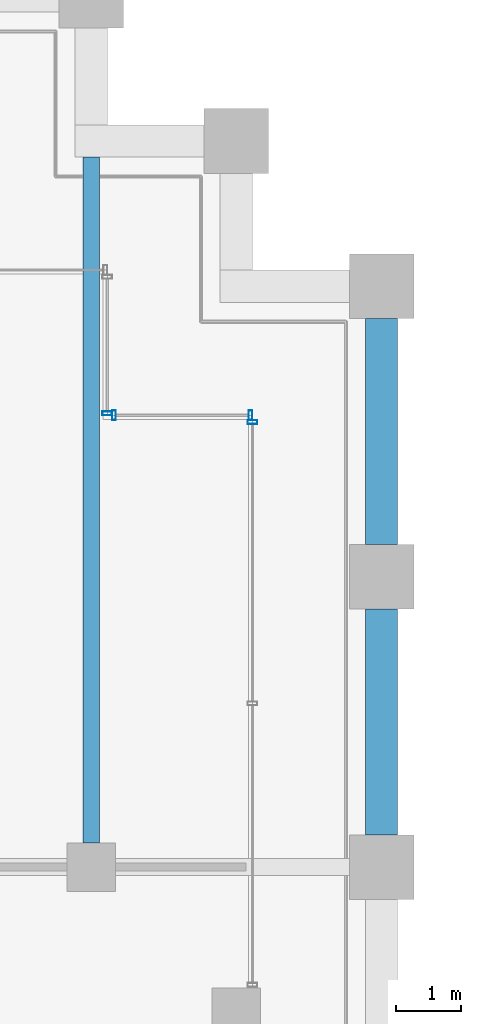
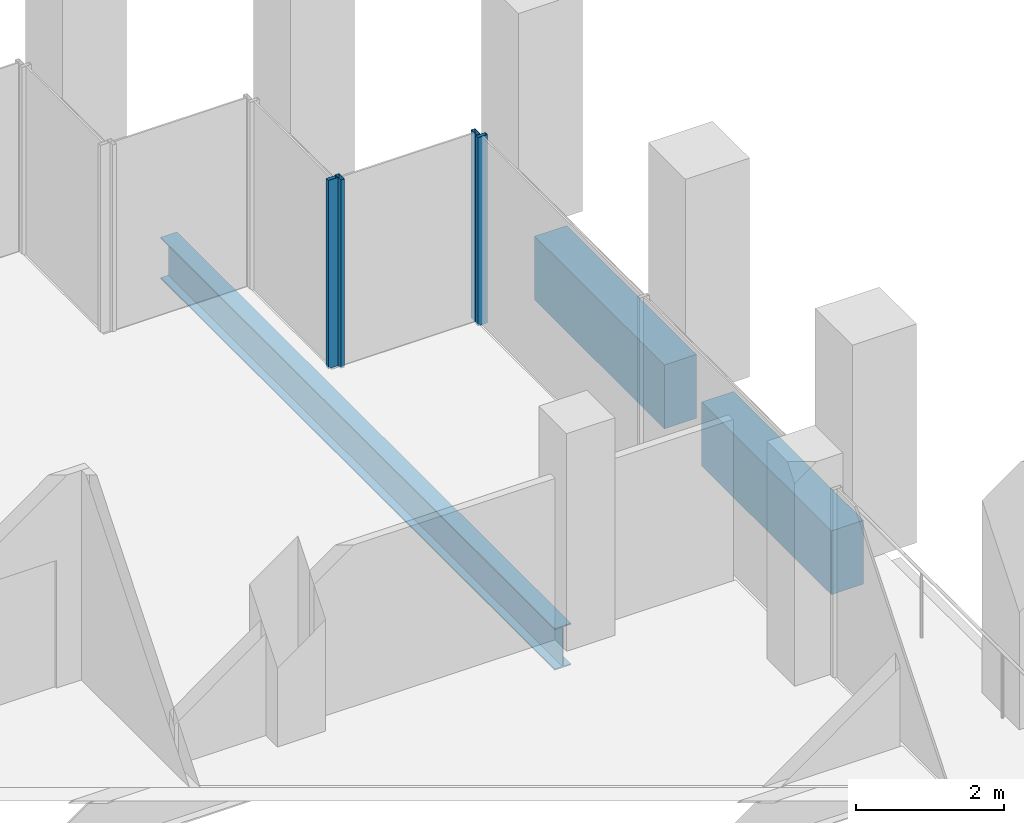
# One storey, part 25 of 47: 4 members, 3 beams, 3 elements without a shape of their own.
"""IFC4 building model written with IfcOpenShell, lengths in metres."""

from ifc_helpers import new_model, si_unit, direction, frame, origin, origin_2d, place, context, subcontext, project, spatial, rectangle, hollow_rectangle, i_section, extrude, material, material_profile, profile_set, type_object, element, aggregate, save


model = new_model("IFC4")

# Units and contexts
model_context = context("Model", 3, precision=1e-05, world=origin(), true_north=direction((0.0, 1.0)))
body_context = subcontext(model_context, "Body", "Model", "MODEL_VIEW")
ifc_project = project(units=[si_unit("LENGTHUNIT", "METRE"), si_unit("AREAUNIT", "SQUARE_METRE"), si_unit("VOLUMEUNIT", "CUBIC_METRE"), si_unit("PLANEANGLEUNIT", "RADIAN"), si_unit("MASSUNIT", "GRAM", prefix="KILO")], contexts=[model_context])

# Site, building, storey
site_placement = place(None, origin())
site = spatial("IfcSite", under=ifc_project, at=site_placement, CompositionType="ELEMENT")
building_placement = place(site_placement, origin())
building = spatial("IfcBuilding", under=site, at=building_placement, Name="Altepetl Exchange Towers", CompositionType="ELEMENT")
storey_placement = place(building_placement, frame((0.0, 0.0, 95.60009765625)))
storey = spatial("IfcBuildingStorey", under=building, at=storey_placement, Name="L23", CompositionType="ELEMENT", Elevation=95.60009765625)

# Beam
ifc_material_1 = material(Name="Steel S355", Category="steel")
ifc_material_profile_1 = material_profile(ifc_material_1, i_section(OverallWidth=0.25390625, OverallDepth=0.68408203125, WebThickness=0.012451171875, FlangeThickness=0.018798828125, at=origin_2d()), Name="W27X94")
ifc_profile_set_1 = profile_set([ifc_material_profile_1], Name="Steel S355")
beam_type_1 = type_object("IfcBeamType", Name="Floor beam W27X94", PredefinedType="BEAM", material=ifc_profile_set_1)
beam_placement = place(storey_placement, frame((67.5, 58.875, -0.4921875), z_axis=(0.0, 1.0, 0.0), x_axis=(-1.0, 0.0, 0.0)))
element("IfcBeam", 1, at=beam_placement, inside=storey, type_object=beam_type_1, Name="bm:A:L23:005", PredefinedType="BEAM", context=body_context, shape_type="SweptSolid", body=[
    extrude(i_section(OverallWidth=0.25390625, OverallDepth=0.68408203125, WebThickness=0.012451171875, FlangeThickness=0.018798828125, at=origin_2d()), origin(), (0.0, 0.0, 1.0), 10.625),
])

# Curtain wall, member
ifc_material_2 = material(Name="Aluminium 6063-T6 glazing", Category="aluminium")
curtain_wall_type = type_object("IfcCurtainWallType", Name="Loggia glazing system", PredefinedType="NOTDEFINED", material=ifc_material_2)
curtain_wall_1_placement = place(storey_placement, origin())
curtain_wall_1 = element("IfcCurtainWall", 2, at=curtain_wall_1_placement, inside=storey, type_object=curtain_wall_type, Name="CW1 run", PredefinedType="NOTDEFINED")
ifc_material_3 = material(Name="Aluminium 6063-T6", Category="aluminium")
ifc_material_profile_2 = material_profile(ifc_material_3, hollow_rectangle(XDim=0.06005859375, YDim=0.14990234375, WallThickness=0.0029296875, at=origin_2d()), Name="Mullion 60x150 aluminium")
ifc_profile_set_2 = profile_set([ifc_material_profile_2], Name="Aluminium 6063-T6")
member_type = type_object("IfcMemberType", Name="Mullion 60x150 aluminium", PredefinedType="MULLION", material=ifc_profile_set_2)
member_1_placement = place(storey_placement, frame((70.0, 65.39501953125, 0.0), z_axis=(0.0, 0.0, 1.0), x_axis=(0.0, 1.0, 0.0)))
member_1 = element("IfcMember", 3, at=member_1_placement, type_object=member_type, Name="MU1 mullion", PredefinedType="MULLION", context=body_context, shape_type="SweptSolid", body=[
    extrude(hollow_rectangle(XDim=0.06005859375, YDim=0.14990234375, WallThickness=0.0029296875, at=origin_2d()), origin(), (0.0, 0.0, 1.0), 3.099853515625),
])
aggregate(curtain_wall_1, [member_1])

# Curtain wall, members
curtain_wall_2_placement = place(storey_placement, origin())
curtain_wall_2 = element("IfcCurtainWall", 4, at=curtain_wall_2_placement, inside=storey, type_object=curtain_wall_type, Name="CW1 run", PredefinedType="NOTDEFINED")
member_2_placement = place(storey_placement, frame((69.969970703125, 65.5, 0.0), z_axis=(0.0, 0.0, 1.0), x_axis=(-1.0, 0.0, 0.0)))
member_2 = element("IfcMember", 5, at=member_2_placement, type_object=member_type, Name="MU1 mullion", PredefinedType="MULLION", context=body_context, shape_type="SweptSolid", body=[
    extrude(hollow_rectangle(XDim=0.06005859375, YDim=0.14990234375, WallThickness=0.0029296875, at=origin_2d()), origin(), (0.0, 0.0, 1.0), 3.099853515625),
])
member_3_placement = place(storey_placement, frame((67.85498046875, 65.5, 0.0), z_axis=(0.0, 0.0, 1.0), x_axis=(-1.0, 0.0, 0.0)))
member_3 = element("IfcMember", 6, at=member_3_placement, type_object=member_type, Name="MU1 mullion", PredefinedType="MULLION", context=body_context, shape_type="SweptSolid", body=[
    extrude(hollow_rectangle(XDim=0.06005859375, YDim=0.14990234375, WallThickness=0.0029296875, at=origin_2d()), origin(), (0.0, 0.0, 1.0), 3.099853515625),
])
aggregate(curtain_wall_2, [member_2, member_3])

# Curtain wall, member
curtain_wall_3_placement = place(storey_placement, origin())
curtain_wall_3 = element("IfcCurtainWall", 7, at=curtain_wall_3_placement, inside=storey, type_object=curtain_wall_type, Name="CW1 run", PredefinedType="NOTDEFINED")
member_4_placement = place(storey_placement, frame((67.75, 65.530029296875, 0.0), z_axis=(0.0, 0.0, 1.0), x_axis=(0.0, 1.0, 0.0)))
member_4 = element("IfcMember", 8, at=member_4_placement, type_object=member_type, Name="MU1 mullion", PredefinedType="MULLION", context=body_context, shape_type="SweptSolid", body=[
    extrude(hollow_rectangle(XDim=0.06005859375, YDim=0.14990234375, WallThickness=0.0029296875, at=origin_2d()), origin(), (0.0, 0.0, 1.0), 3.099853515625),
])
aggregate(curtain_wall_3, [member_4])

# Beams
ifc_material_4 = material(Name="Concrete C50/60 precast with cantera rosa facing", Category="concrete")
ifc_material_profile_3 = material_profile(ifc_material_4, rectangle(XDim=0.5, YDim=1.050048828125, at=origin_2d()), Name="500 x 1050")
ifc_profile_set_3 = profile_set([ifc_material_profile_3], Name="Concrete C50/60 precast with cantera rosa facing")
beam_type_2 = type_object("IfcBeamType", Name="Spandrel beam 500x1050 cantera rosa", PredefinedType="SPANDREL", material=ifc_profile_set_3)
for number, where, z_axis, x_axis, name in (
    (9, (72.0, 59.0, -0.675048828125), (0.0, 1.0, 0.0), (-1.0, 0.0, 0.0), "sp:A:L23:018"),
    (10, (72.0, 63.5, -0.675048828125), (0.0, 1.0, 0.0), (-1.0, 0.0, 0.0), "sp:A:L23:019"),
):
    element("IfcBeam", number, at=place(storey_placement, frame(where, z_axis=z_axis, x_axis=x_axis)), inside=storey, type_object=beam_type_2, Name=name, PredefinedType="SPANDREL", context=body_context, shape_type="SweptSolid", body=[
        extrude(rectangle(XDim=0.5, YDim=1.050048828125, at=origin_2d()), origin(), (0.0, 0.0, 1.0), 3.5),
    ])

save(model, "model.ifc")
